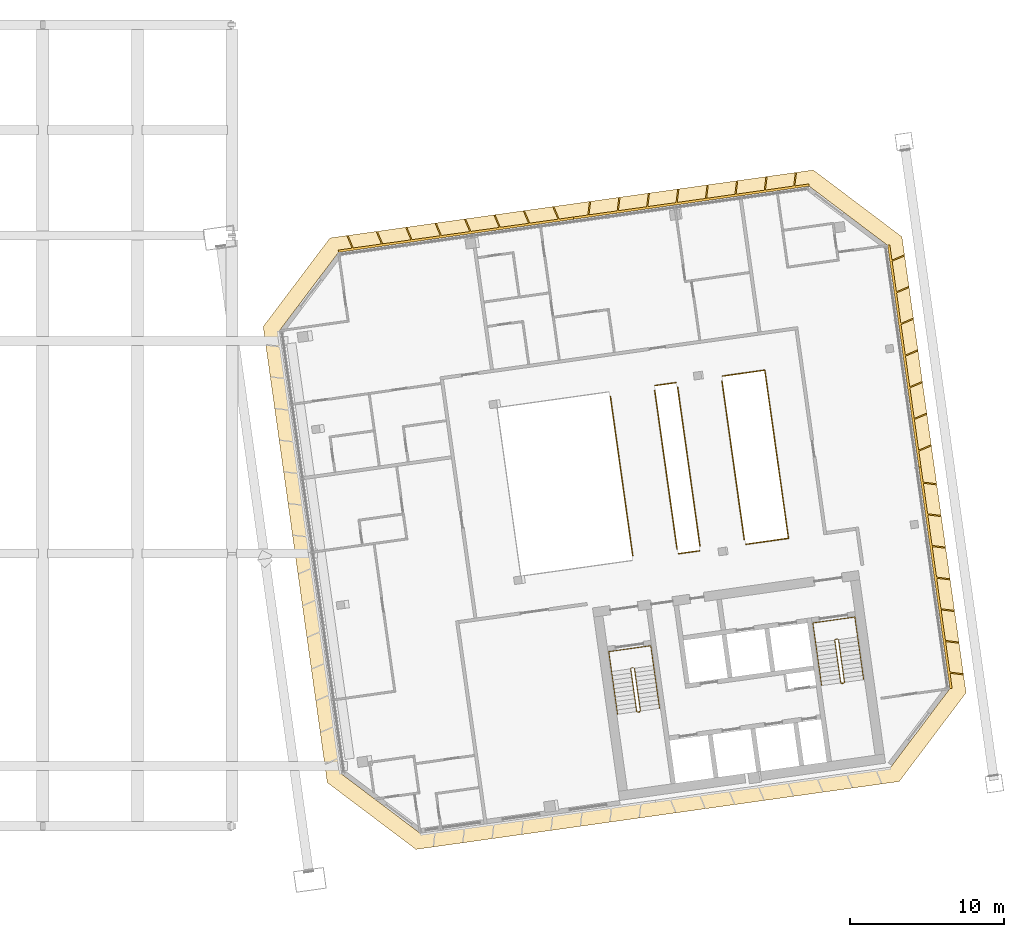
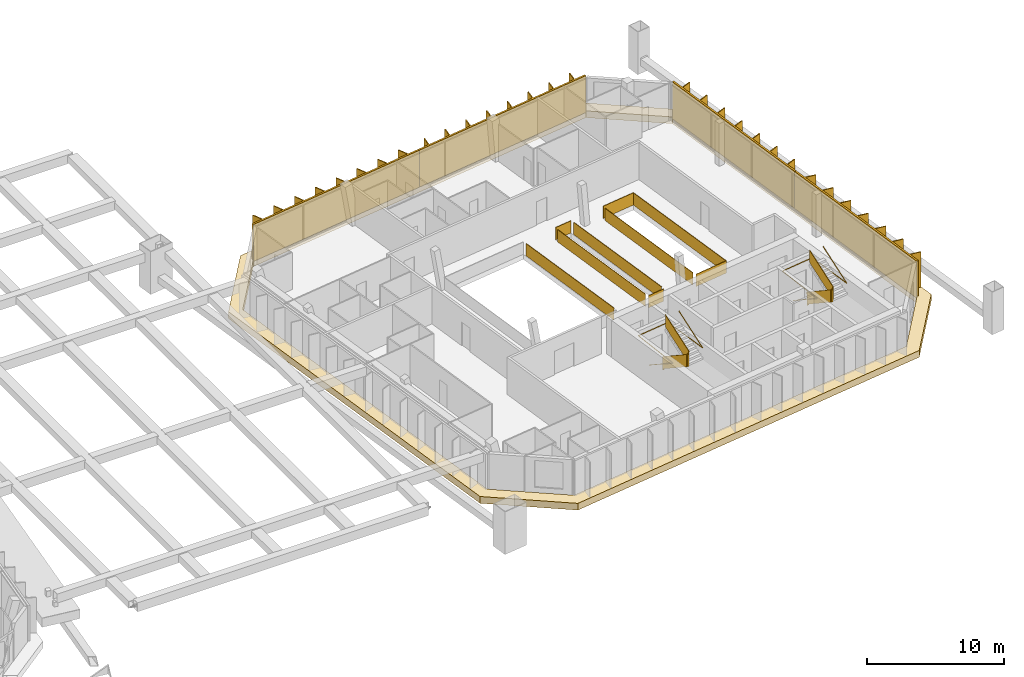
# One storey, part 36 of 36: 11 railings, 4 shading devices, 1 covering.
"""IFC4 building model written with IfcOpenShell, lengths in metres."""

import ifcopenshell
import ifcopenshell.guid

model = None  # the IFC model being written
_history = None  # IfcOwnerHistory: only IFC2X3 demands one
_inside = {}  # id of a spatial element -> (the spatial element, [elements in it])
_under = {}  # id of a project, library or spatial element -> (it, [spatial elements below it])
_declared = {}  # id of a project -> (the project, [libraries it declares])
_typed = {}  # id of a type object -> (the type object, [elements of that type])
_made_of = {}  # id of a material, layer set ... -> (it, [elements and type objects made of it])


def new_model(schema):
    """Start an empty IFC model of exactly this schema.

    Asked for "IFC4X3", IfcOpenShell would pick the latest addendum, in which some entities
    have other attributes; the version numbers below select the first issue.
    IFC2X3 requires an IfcOwnerHistory on every rooted entity: one is made here for all.
    """
    global model, _history
    if schema == "IFC4X3":
        model = ifcopenshell.file(schema_version=(4, 3, 0, 0))
    else:
        model = ifcopenshell.file(schema=schema)
    _inside.clear()
    _under.clear()
    _declared.clear()
    _typed.clear()
    _made_of.clear()
    _history = None
    if model.schema == "IFC2X3":
        org = make("IfcOrganization", Name="unknown")
        user = make(
            "IfcPersonAndOrganization",
            ThePerson=make("IfcPerson", FamilyName="unknown"),
            TheOrganization=org,
        )
        app = make(
            "IfcApplication",
            ApplicationDeveloper=org,
            Version="unknown",
            ApplicationFullName="unknown",
            ApplicationIdentifier="unknown",
        )
        _history = make(
            "IfcOwnerHistory",
            OwningUser=user,
            OwningApplication=app,
            ChangeAction="ADDED",
            CreationDate=0,
        )
    return model


def make(cls, **values):
    """One entity of the class cls with the attributes given. An attribute that is None is left unset."""
    return model.create_entity(
        cls, **{name: value for name, value in values.items() if value is not None}
    )


def rooted(cls, **values):
    """An entity with a GlobalId (a new one), such as an element, a storey or a relation."""
    return make(cls, GlobalId=ifcopenshell.guid.new(), OwnerHistory=_history, **values)


def si_unit(unit_type, name, prefix=None):
    """IfcSIUnit, for example si_unit("LENGTHUNIT", "METRE", prefix="MILLI")."""
    return make("IfcSIUnit", UnitType=unit_type, Prefix=prefix, Name=name)


def assignment(units):
    """IfcUnitAssignment: the units of a project."""
    return None if units is None else make("IfcUnitAssignment", Units=units)


def point(xyz):
    """IfcCartesianPoint."""
    return None if xyz is None else make("IfcCartesianPoint", Coordinates=xyz)


def direction(xyz):
    """IfcDirection."""
    return None if xyz is None else make("IfcDirection", DirectionRatios=xyz)


def frame(location, z_axis=None, x_axis=None):
    """IfcAxis2Placement3D, a coordinate frame: its origin and axes. An axis left out is left unset."""
    return make(
        "IfcAxis2Placement3D",
        Location=point(location),
        Axis=direction(z_axis),
        RefDirection=direction(x_axis),
    )


def frame_2d(location, x_axis=None):
    """IfcAxis2Placement2D, a coordinate frame in the plane: its origin and x axis."""
    return make(
        "IfcAxis2Placement2D", Location=point(location), RefDirection=direction(x_axis)
    )


def origin():
    """The frame at (0, 0, 0) with its axes left unset."""
    return frame((0.0, 0.0, 0.0))


def origin_2d():
    """The frame at (0, 0) in the plane with its x axis left unset."""
    return frame_2d((0.0, 0.0))


def place(relative_to, where):
    """IfcLocalPlacement: puts the frame where relative to a parent placement (None: the world)."""
    return make(
        "IfcLocalPlacement", PlacementRelTo=relative_to, RelativePlacement=where
    )


def context(
    kind, dimensions, precision=None, world=None, true_north=None, identifier=None
):
    """IfcGeometricRepresentationContext, for example the 3D "Model" context."""
    return make(
        "IfcGeometricRepresentationContext",
        ContextIdentifier=identifier,
        ContextType=kind,
        CoordinateSpaceDimension=dimensions,
        Precision=precision,
        WorldCoordinateSystem=world,
        TrueNorth=true_north,
    )


def subcontext(parent, identifier, kind, view, scale=None):
    """IfcGeometricRepresentationSubContext, for example "Body" below "Model"."""
    return make(
        "IfcGeometricRepresentationSubContext",
        ContextIdentifier=identifier,
        ContextType=kind,
        ParentContext=parent,
        TargetScale=scale,
        TargetView=view,
    )


def project(units=None, contexts=None):
    """IfcProject with its units and contexts."""
    return rooted(
        "IfcProject",
        Name="project",
        RepresentationContexts=contexts,
        UnitsInContext=assignment(units),
    )


def spatial(cls, under=None, at=None, **own):
    """A site, building, storey or space (cls), placed at a placement, below another one or the project."""
    s = rooted(cls, ObjectPlacement=at, **own)
    if under is not None:
        _under.setdefault(under.id(), (under, []))[1].append(s)
    return s


def polyline(points):
    """IfcPolyline through the points."""
    return make("IfcPolyline", Points=[point(p) for p in points])


def profile(cls, at=None, kind="AREA", **sizes):
    """A parametric profile (cls). Its sizes go by their IFC names, for example OverallWidth=200.0."""
    return make(cls, ProfileType=kind, Position=at, **sizes)


def rectangle(**sizes):
    """IfcRectangleProfileDef."""
    return profile("IfcRectangleProfileDef", **sizes)


def outline(outer, holes=None, kind="AREA"):
    """IfcArbitraryClosedProfileDef: a profile drawn as a closed curve; with holes, ...WithVoids."""
    if holes is None:
        return make("IfcArbitraryClosedProfileDef", ProfileType=kind, OuterCurve=outer)
    return make(
        "IfcArbitraryProfileDefWithVoids",
        ProfileType=kind,
        OuterCurve=outer,
        InnerCurves=holes,
    )


def extrude(swept, where, along, depth):
    """IfcExtrudedAreaSolid: the profile swept, set in the frame where, extruded along a direction by depth."""
    return make(
        "IfcExtrudedAreaSolid",
        SweptArea=swept,
        Position=where,
        ExtrudedDirection=direction(along),
        Depth=depth,
    )


def shape(context_of_items, identifier, shape_type, items):
    """IfcShapeRepresentation: the items that make up one representation, for example the "Body"."""
    return make(
        "IfcShapeRepresentation",
        ContextOfItems=context_of_items,
        RepresentationIdentifier=identifier,
        RepresentationType=shape_type,
        Items=items,
    )


def material(Name=None, Category=None):
    """IfcMaterial."""
    return make("IfcMaterial", Name=Name, Category=Category)


def layer(
    of_material, thickness, ventilated=None, Name=None, Category=None, Priority=None
):
    """IfcMaterialLayer: one layer of a wall or slab, of a material (None: an air gap)."""
    return make(
        "IfcMaterialLayer",
        Material=of_material,
        LayerThickness=thickness,
        IsVentilated=ventilated,
        Name=Name,
        Category=Category,
        Priority=Priority,
    )


def layer_set(layers, Name=None):
    """IfcMaterialLayerSet."""
    return make("IfcMaterialLayerSet", MaterialLayers=layers, LayerSetName=Name)


def made_of(thing, what):
    """Note that an element or type object is made of a material, layer set ...; save() writes the relation."""
    if what is not None:
        _made_of.setdefault(what.id(), (what, []))[1].append(thing)
    return thing


def type_object(cls, material=None, **own):
    """A type object (cls), such as IfcWallType, which elements share."""
    return made_of(rooted(cls, **own), material)


def element(
    cls,
    number,
    at=None,
    inside=None,
    cuts=None,
    type_object=None,
    material=None,
    context=None,
    identifier="Body",
    shape_type=None,
    held_by="IfcProductDefinitionShape",
    body=None,
    shapes=None,
    **own,
):
    """One element of the class cls, such as IfcWall. Its Tag is "e" and its number.

    at: its placement. inside: the storey or other place that contains it. cuts: it is an
    opening in that element (IfcRelVoidsElement). A single representation is given by context,
    identifier, shape_type and body (its items); several are given by shapes. held_by: the class
    of the entity that holds the representations. save() writes the other relations.
    """
    e = rooted(cls, Tag="e%d" % number, ObjectPlacement=at, **own)
    if body is not None:
        shapes = [shape(context, identifier, shape_type, body)]
    if shapes is not None:
        e.Representation = make(held_by, Representations=shapes)
    if inside is not None:
        _inside.setdefault(inside.id(), (inside, []))[1].append(e)
    if cuts is not None:
        rooted(
            "IfcRelVoidsElement", RelatingBuildingElement=cuts, RelatedOpeningElement=e
        )
    if type_object is not None:
        _typed.setdefault(type_object.id(), (type_object, []))[1].append(e)
    return made_of(e, material)


def aggregate(whole, parts):
    """IfcRelAggregates: a whole, such as a stair, and the parts it consists of."""
    return rooted("IfcRelAggregates", RelatingObject=whole, RelatedObjects=parts)


def save(model, path):
    """Write the relations noted so far, then the file.

    IfcRelAggregates (storeys below a building ...), IfcRelContainedInSpatialStructure (elements
    in a storey), IfcRelDefinesByType, IfcRelAssociatesMaterial and IfcRelDeclares: one each for
    every whole, place, type object, material and project.
    """
    for whole, parts in _under.values():
        aggregate(whole, parts)
    for where, things in _inside.values():
        rooted(
            "IfcRelContainedInSpatialStructure",
            RelatedElements=things,
            RelatingStructure=where,
        )
    for kind, things in _typed.values():
        rooted("IfcRelDefinesByType", RelatedObjects=things, RelatingType=kind)
    for what, things in _made_of.values():
        rooted("IfcRelAssociatesMaterial", RelatedObjects=things, RelatingMaterial=what)
    for by, libraries in _declared.values():
        rooted("IfcRelDeclares", RelatingContext=by, RelatedDefinitions=libraries)
    model.write(path)


model = new_model("IFC4")

# Units and contexts
model_context = context("Model", 3, precision=1e-05, world=origin(), true_north=direction((0.0, 1.0)))
body_context = subcontext(model_context, "Body", "Model", "MODEL_VIEW")
ifc_project = project(units=[si_unit("LENGTHUNIT", "METRE"), si_unit("AREAUNIT", "SQUARE_METRE"), si_unit("VOLUMEUNIT", "CUBIC_METRE"), si_unit("PLANEANGLEUNIT", "RADIAN"), si_unit("MASSUNIT", "GRAM", prefix="KILO")], contexts=[model_context])

# Site, building, storey
site_placement = place(None, origin())
site = spatial("IfcSite", under=ifc_project, at=site_placement, CompositionType="ELEMENT")
building_placement = place(site_placement, origin())
building = spatial("IfcBuilding", under=site, at=building_placement, Name="Mirante Cascada Hotel Towers", CompositionType="ELEMENT")
storey_placement = place(building_placement, frame((0.0, 0.0, 254.6)))
storey = spatial("IfcBuildingStorey", under=building, at=storey_placement, Name="L61", CompositionType="ELEMENT", Elevation=254.6)

# Railings
ifc_material_1 = material(Name="Toughened glass with stainless steel handrail", Category="steel")
railing_type_1 = type_object("IfcRailingType", Name="Atrium guard 1100 glass balustrade", PredefinedType="GUARDRAIL", material=ifc_material_1)
railing_1_placement = place(storey_placement, frame((41.1732, -3.8631, 0.0)))
element("IfcRailing", 1, at=railing_1_placement, inside=storey, type_object=railing_type_1, Name="GUARD 2-L61-2", PredefinedType="GUARDRAIL", context=body_context, shape_type="SweptSolid", body=[
    extrude(rectangle(XDim=0.048, YDim=0.048, at=origin_2d()), frame((0.0, 0.0, 1.076), z_axis=(0.9902687, 0.1391683, 0.0), x_axis=(-0.1391683, 0.9902687, 0.0)), (0.0, 0.0, 1.0), 1.3983),
    extrude(rectangle(XDim=0.02, YDim=1.052, at=origin_2d()), frame((0.0, 0.0, 0.526), z_axis=(0.9902687, 0.1391683, 0.0), x_axis=(-0.1391683, 0.9902687, 0.0)), (0.0, 0.0, 1.0), 1.3983),
])
railing_2_placement = place(storey_placement, frame((41.027, 7.2244, 0.0)))
element("IfcRailing", 2, at=railing_2_placement, inside=storey, type_object=railing_type_1, Name="GUARD 2-L61-3", PredefinedType="GUARDRAIL", context=body_context, shape_type="SweptSolid", body=[
    extrude(rectangle(XDim=0.048, YDim=0.048, at=origin_2d()), frame((0.0, 0.0, 1.076), z_axis=(-0.9902687, -0.1391683, 0.0), x_axis=(0.1391683, -0.9902687, 0.0)), (0.0, 0.0, 1.0), 1.3983),
    extrude(rectangle(XDim=0.02, YDim=1.052, at=origin_2d()), frame((0.0, 0.0, 0.526), z_axis=(-0.9902687, -0.1391683, 0.0), x_axis=(0.1391683, -0.9902687, 0.0)), (0.0, 0.0, 1.0), 1.3983),
])
railing_3_placement = place(storey_placement, frame((45.5287, -3.251, 0.0)))
element("IfcRailing", 3, at=railing_3_placement, inside=storey, type_object=railing_type_1, Name="GUARD 2-L61-4", PredefinedType="GUARDRAIL", context=body_context, shape_type="SweptSolid", body=[
    extrude(rectangle(XDim=0.048, YDim=0.048, at=origin_2d()), frame((0.0, 0.0, 1.076), z_axis=(0.9902681, 0.1391732, 0.0), x_axis=(-0.1391732, 0.9902681, 0.0)), (0.0, 0.0, 1.0), 2.7965),
    extrude(rectangle(XDim=0.02, YDim=1.052, at=origin_2d()), frame((0.0, 0.0, 0.526), z_axis=(0.9902681, 0.1391732, 0.0), x_axis=(-0.1391732, 0.9902681, 0.0)), (0.0, 0.0, 1.0), 2.7965),
    extrude(rectangle(XDim=0.048, YDim=0.048, at=origin_2d()), frame((2.7693, 0.3892, 1.076), z_axis=(-0.1391721, 0.9902682, 0.0), x_axis=(-0.9902682, -0.1391721, 0.0)), (0.0, 0.0, 1.0), 11.0001),
    extrude(rectangle(XDim=0.02, YDim=1.052, at=origin_2d()), frame((2.7693, 0.3892, 0.526), z_axis=(-0.1391721, 0.9902682, 0.0), x_axis=(-0.9902682, -0.1391721, 0.0)), (0.0, 0.0, 1.0), 11.0001),
    extrude(rectangle(XDim=0.048, YDim=0.048, at=origin_2d()), frame((1.2384, 11.2822, 1.076), z_axis=(-0.9902681, -0.1391732, 0.0), x_axis=(0.1391732, -0.9902681, 0.0)), (0.0, 0.0, 1.0), 2.7965),
    extrude(rectangle(XDim=0.02, YDim=1.052, at=origin_2d()), frame((1.2384, 11.2822, 0.526), z_axis=(-0.9902681, -0.1391732, 0.0), x_axis=(0.1391732, -0.9902681, 0.0)), (0.0, 0.0, 1.0), 2.7965),
])
railing_4_placement = place(storey_placement, frame((38.2098, -3.981, 0.0)))
element("IfcRailing", 4, at=railing_4_placement, inside=storey, type_object=railing_type_1, Name="GUARD 2-L61-5", PredefinedType="GUARDRAIL", context=body_context, shape_type="SweptSolid", body=[
    extrude(rectangle(XDim=0.048, YDim=0.048, at=origin_2d()), frame((0.0, 0.0, 1.076), z_axis=(-0.1391734, 0.990268, 0.0), x_axis=(-0.990268, -0.1391734, 0.0)), (0.0, 0.0, 1.0), 10.4086),
    extrude(rectangle(XDim=0.02, YDim=1.052, at=origin_2d()), frame((0.0, 0.0, 0.526), z_axis=(-0.1391734, 0.990268, 0.0), x_axis=(-0.990268, -0.1391734, 0.0)), (0.0, 0.0, 1.0), 10.4086),
])
railing_5_placement = place(storey_placement, frame((39.6349, 6.7302, 0.0)))
element("IfcRailing", 5, at=railing_5_placement, inside=storey, type_object=railing_type_1, Name="GUARD 2-L61-6", PredefinedType="GUARDRAIL", context=body_context, shape_type="SweptSolid", body=[
    extrude(rectangle(XDim=0.048, YDim=0.048, at=origin_2d()), frame((0.0, 0.0, 1.076), z_axis=(0.1391721, -0.9902682, 0.0), x_axis=(0.9902682, 0.1391721, 0.0)), (0.0, 0.0, 1.0), 10.4087),
    extrude(rectangle(XDim=0.02, YDim=1.052, at=origin_2d()), frame((0.0, 0.0, 0.526), z_axis=(0.1391721, -0.9902682, 0.0), x_axis=(0.9902682, 0.1391721, 0.0)), (0.0, 0.0, 1.0), 10.4087),
])
railing_6_placement = place(storey_placement, frame((42.5653, -3.3689, 0.0)))
element("IfcRailing", 6, at=railing_6_placement, inside=storey, type_object=railing_type_1, Name="GUARD 2-L61-7", PredefinedType="GUARDRAIL", context=body_context, shape_type="SweptSolid", body=[
    extrude(rectangle(XDim=0.048, YDim=0.048, at=origin_2d()), frame((0.0, 0.0, 1.076), z_axis=(-0.1391721, 0.9902682, 0.0), x_axis=(-0.9902682, -0.1391721, 0.0)), (0.0, 0.0, 1.0), 10.4087),
    extrude(rectangle(XDim=0.02, YDim=1.052, at=origin_2d()), frame((0.0, 0.0, 0.526), z_axis=(-0.1391721, 0.9902682, 0.0), x_axis=(-0.9902682, -0.1391721, 0.0)), (0.0, 0.0, 1.0), 10.4087),
])
railing_7_placement = place(storey_placement, frame((43.9904, 7.3424, 0.0)))
element("IfcRailing", 7, at=railing_7_placement, inside=storey, type_object=railing_type_1, Name="GUARD 2-L61-8", PredefinedType="GUARDRAIL", context=body_context, shape_type="SweptSolid", body=[
    extrude(rectangle(XDim=0.048, YDim=0.048, at=origin_2d()), frame((0.0, 0.0, 1.076), z_axis=(0.1391721, -0.9902682, 0.0), x_axis=(0.9902682, 0.1391721, 0.0)), (0.0, 0.0, 1.0), 10.4087),
    extrude(rectangle(XDim=0.02, YDim=1.052, at=origin_2d()), frame((0.0, 0.0, 0.526), z_axis=(0.1391721, -0.9902682, 0.0), x_axis=(0.9902682, 0.1391721, 0.0)), (0.0, 0.0, 1.0), 10.4087),
])

# Covering
ifc_material_2 = material(Name="Precast concrete C40/50 white", Category="concrete")
ifc_layer = layer(ifc_material_2, 0.6)
ifc_layer_set = layer_set([ifc_layer], Name="Precast concrete SUNSHADE band 1000x600")
covering_type = type_object("IfcCoveringType", Name="Precast concrete SUNSHADE band 1000x600", PredefinedType="CLADDING", material=ifc_layer_set)
covering_placement = place(storey_placement, frame((0.0, 0.0, -0.45)))
element("IfcCovering", 8, at=covering_placement, inside=storey, type_object=covering_type, Name="Precast concrete SUNSHADE band T2 L61", PredefinedType="CLADDING", context=body_context, shape_type="SweptSolid", body=[
    extrude(outline(polyline([(14.2707, 10.8502), (18.5992, 16.5943), (49.9078, 20.9944), (55.6518, 16.6659), (59.8032, -12.8722), (55.4747, -18.6163), (24.1661, -23.0165), (18.422, -18.688), (14.2707, 10.8502)]), holes=[polyline([(58.7552, -12.6012), (54.7192, 16.1166), (49.6367, 19.9465), (19.1485, 15.6616), (15.3186, 10.5792), (19.3546, -18.1386), (24.4371, -21.9685), (54.9253, -17.6837), (58.7552, -12.6012)])]), origin(), (0.0, 0.0, 1.0), 0.6),
])

# Railings
ifc_material_3 = material(Name="Painted steel", Category="steel")
railing_type_2 = type_object("IfcRailingType", Name="Stair guard 1100 steel balustrade", PredefinedType="GUARDRAIL", material=ifc_material_3)
railing_8_placement = place(storey_placement, frame((38.2663, -11.2395, 0.0)))
element("IfcRailing", 9, at=railing_8_placement, inside=storey, type_object=railing_type_2, Name="L61 ST2-A stair guard 1", PredefinedType="GUARDRAIL", context=body_context, shape_type="SweptSolid", body=[
    extrude(rectangle(XDim=0.048, YDim=0.048, at=origin_2d()), frame((0.0, 0.0, 1.076), z_axis=(-0.9903326, -0.1387133, 0.0), x_axis=(0.1387133, -0.9903326, 0.0)), (0.0, 0.0, 1.0), 0.1499),
    extrude(rectangle(XDim=0.02, YDim=1.052, at=origin_2d()), frame((0.0, 0.0, 0.526), z_axis=(-0.9903326, -0.1387133, 0.0), x_axis=(0.1387133, -0.9903326, 0.0)), (0.0, 0.0, 1.0), 0.1499),
    extrude(rectangle(XDim=0.048, YDim=0.048, at=origin_2d()), frame((-0.1485, -0.0208, 1.076), z_axis=(-0.6020331, -0.7984711, 0.0), x_axis=(0.7984711, -0.6020331, 0.0)), (0.0, 0.9253398, 0.3791387), 0.1866),
    extrude(rectangle(XDim=0.02, YDim=1.052, at=origin_2d()), frame((-0.1485, -0.0208, 0.526), z_axis=(-0.6020331, -0.7984711, 0.0), x_axis=(0.7984711, -0.6020331, 0.0)), (0.0, 0.9253398, 0.3791387), 0.1866),
    extrude(rectangle(XDim=0.048, YDim=0.048, at=origin_2d()), frame((-0.1911, -0.0773, 1.2487), z_axis=(0.139176, -0.9902677, 0.0), x_axis=(0.9902677, 0.139176, 0.0)), (0.0, 0.5250212, 0.8510891), 3.29),
    extrude(rectangle(XDim=0.02, YDim=1.052, at=origin_2d()), frame((-0.1911, -0.0773, 0.6987), z_axis=(0.139176, -0.9902677, 0.0), x_axis=(0.9902677, 0.139176, 0.0)), (0.0, 0.5250212, 0.8510891), 3.29),
    extrude(rectangle(XDim=0.048, YDim=0.048, at=origin_2d()), frame((0.1986, -2.8501, 2.976), z_axis=(0.9944948, -0.1047858, 0.0), x_axis=(0.1047858, 0.9944948, 0.0)), (0.0, 0.0, 1.0), 0.2061),
    extrude(rectangle(XDim=0.02, YDim=1.052, at=origin_2d()), frame((0.1986, -2.8501, 2.426), z_axis=(0.9944948, -0.1047858, 0.0), x_axis=(0.1047858, 0.9944948, 0.0)), (0.0, 0.0, 1.0), 0.2061),
    extrude(rectangle(XDim=0.048, YDim=0.048, at=origin_2d()), frame((0.4036, -2.8717, 2.976), z_axis=(-0.9902408, -0.1393672, 0.0), x_axis=(0.1393672, -0.9902408, 0.0)), (0.0, 0.0, 1.0), 0.15),
    extrude(rectangle(XDim=0.02, YDim=1.052, at=origin_2d()), frame((0.4036, -2.8717, 2.426), z_axis=(-0.9902408, -0.1393672, 0.0), x_axis=(0.1393672, -0.9902408, 0.0)), (0.0, 0.0, 1.0), 0.15),
    extrude(rectangle(XDim=0.048, YDim=0.048, at=origin_2d()), frame((0.2551, -2.8926, 2.976), z_axis=(0.9270311, 0.3749843, 0.0), x_axis=(-0.3749843, 0.9270311, 0.0)), (0.0, 0.6421903, 0.7665452), 0.2689),
    extrude(rectangle(XDim=0.02, YDim=1.052, at=origin_2d()), frame((0.2551, -2.8926, 2.426), z_axis=(0.9270311, 0.3749843, 0.0), x_axis=(-0.3749843, 0.9270311, 0.0)), (0.0, 0.6421903, 0.7665452), 0.2689),
    extrude(rectangle(XDim=0.048, YDim=0.048, at=origin_2d()), frame((0.4462, -2.8153, 3.1487), z_axis=(-0.139176, 0.9902677, 0.0), x_axis=(-0.9902677, -0.139176, 0.0)), (0.0, 0.5250212, 0.8510891), 3.29),
    extrude(rectangle(XDim=0.02, YDim=1.052, at=origin_2d()), frame((0.4462, -2.8153, 2.5987), z_axis=(-0.139176, 0.9902677, 0.0), x_axis=(-0.9902677, -0.139176, 0.0)), (0.0, 0.5250212, 0.8510891), 3.29),
])
railing_9_placement = place(storey_placement, frame((51.4864, -9.3815, 0.0)))
element("IfcRailing", 10, at=railing_9_placement, inside=storey, type_object=railing_type_2, Name="L61 ST2-B stair guard 1", PredefinedType="GUARDRAIL", context=body_context, shape_type="SweptSolid", body=[
    extrude(rectangle(XDim=0.048, YDim=0.048, at=origin_2d()), frame((0.0, 0.0, 1.076), z_axis=(-0.9902408, -0.1393672, 0.0), x_axis=(0.1393672, -0.9902408, 0.0)), (0.0, 0.0, 1.0), 0.15),
    extrude(rectangle(XDim=0.02, YDim=1.052, at=origin_2d()), frame((0.0, 0.0, 0.526), z_axis=(-0.9902408, -0.1393672, 0.0), x_axis=(0.1393672, -0.9902408, 0.0)), (0.0, 0.0, 1.0), 0.15),
    extrude(rectangle(XDim=0.048, YDim=0.048, at=origin_2d()), frame((-0.1485, -0.0209, 1.076), z_axis=(-0.6020331, -0.7984711, 0.0), x_axis=(0.7984711, -0.6020331, 0.0)), (0.0, 0.9253398, 0.3791387), 0.1866),
    extrude(rectangle(XDim=0.02, YDim=1.052, at=origin_2d()), frame((-0.1485, -0.0209, 0.526), z_axis=(-0.6020331, -0.7984711, 0.0), x_axis=(0.7984711, -0.6020331, 0.0)), (0.0, 0.9253398, 0.3791387), 0.1866),
    extrude(rectangle(XDim=0.048, YDim=0.048, at=origin_2d()), frame((-0.1911, -0.0774, 1.2487), z_axis=(0.139181, -0.990267, 0.0), x_axis=(0.990267, 0.139181, 0.0)), (0.0, 0.5250347, 0.8510808), 3.2899),
    extrude(rectangle(XDim=0.02, YDim=1.052, at=origin_2d()), frame((-0.1911, -0.0774, 0.6987), z_axis=(0.139181, -0.990267, 0.0), x_axis=(0.990267, 0.139181, 0.0)), (0.0, 0.5250347, 0.8510808), 3.2899),
    extrude(rectangle(XDim=0.048, YDim=0.048, at=origin_2d()), frame((0.1986, -2.8501, 2.976), z_axis=(0.9944441, -0.1052656, 0.0), x_axis=(0.1052656, 0.9944441, 0.0)), (0.0, 0.0, 1.0), 0.2061),
    extrude(rectangle(XDim=0.02, YDim=1.052, at=origin_2d()), frame((0.1986, -2.8501, 2.426), z_axis=(0.9944441, -0.1052656, 0.0), x_axis=(0.1052656, 0.9944441, 0.0)), (0.0, 0.0, 1.0), 0.2061),
    extrude(rectangle(XDim=0.048, YDim=0.048, at=origin_2d()), frame((0.4036, -2.8718, 2.976), z_axis=(-0.9902408, -0.1393672, 0.0), x_axis=(0.1393672, -0.9902408, 0.0)), (0.0, 0.0, 1.0), 0.15),
    extrude(rectangle(XDim=0.02, YDim=1.052, at=origin_2d()), frame((0.4036, -2.8718, 2.426), z_axis=(-0.9902408, -0.1393672, 0.0), x_axis=(0.1393672, -0.9902408, 0.0)), (0.0, 0.0, 1.0), 0.15),
    extrude(rectangle(XDim=0.048, YDim=0.048, at=origin_2d()), frame((0.2551, -2.8927, 2.976), z_axis=(0.9268624, 0.3754011, 0.0), x_axis=(-0.3754011, 0.9268624, 0.0)), (0.0, 0.6421217, 0.7666028), 0.269),
    extrude(rectangle(XDim=0.02, YDim=1.052, at=origin_2d()), frame((0.2551, -2.8927, 2.426), z_axis=(0.9268624, 0.3754011, 0.0), x_axis=(-0.3754011, 0.9268624, 0.0)), (0.0, 0.6421217, 0.7666028), 0.269),
    extrude(rectangle(XDim=0.048, YDim=0.048, at=origin_2d()), frame((0.4462, -2.8153, 3.1487), z_axis=(-0.139181, 0.990267, 0.0), x_axis=(-0.990267, -0.139181, 0.0)), (0.0, 0.5250347, 0.8510808), 3.2899),
    extrude(rectangle(XDim=0.02, YDim=1.052, at=origin_2d()), frame((0.4462, -2.8153, 2.5987), z_axis=(-0.139181, 0.990267, 0.0), x_axis=(-0.990267, -0.139181, 0.0)), (0.0, 0.5250347, 0.8510808), 3.2899),
])
ifc_material_4 = material(Name="Painted steel", Category="steel")
railing_type_3 = type_object("IfcRailingType", Name="Stair handrail 900 steel tube", PredefinedType="HANDRAIL", material=ifc_material_4)
railing_10_placement = place(storey_placement, frame((36.8374, -11.4908, 0.1727)))
element("IfcRailing", 11, at=railing_10_placement, inside=storey, type_object=railing_type_3, Name="L61 ST2-A stair handrail 1", PredefinedType="HANDRAIL", context=body_context, shape_type="SweptSolid", body=[
    extrude(rectangle(XDim=0.048, YDim=0.048, at=origin_2d()), frame((0.0, 0.0, 0.876), z_axis=(0.139181, -0.990267, 0.0), x_axis=(0.990267, 0.139181, 0.0)), (0.0, 0.5250347, 0.8510808), 3.2899),
    extrude(rectangle(XDim=0.048, YDim=0.048, at=origin_2d()), frame((0.3897, -2.7727, 2.6033), z_axis=(-0.1391707, 0.9902684, 0.0), x_axis=(-0.9902684, -0.1391707, 0.0)), (0.0, 0.0420846, 0.999114), 4.1036),
    extrude(rectangle(XDim=0.048, YDim=0.048, at=origin_2d()), frame((-0.1809, 1.2874, 2.776), z_axis=(0.9902691, 0.1391657, 0.0), x_axis=(-0.1391657, 0.9902691, 0.0)), (0.0, 0.0, 1.0), 2.75),
    extrude(rectangle(XDim=0.048, YDim=0.048, at=origin_2d()), frame((2.5423, 1.6701, 2.776), z_axis=(0.1391707, -0.9902684, 0.0), x_axis=(0.9902684, 0.1391707, 0.0)), (0.0, 0.0, 1.0), 4.1),
    extrude(rectangle(XDim=0.048, YDim=0.048, at=origin_2d()), frame((3.1129, -2.39, 2.776), z_axis=(-0.139181, 0.990267, 0.0), x_axis=(-0.990267, -0.139181, 0.0)), (0.0, 0.5250347, 0.8510808), 3.2899),
])
railing_11_placement = place(storey_placement, frame((50.0575, -9.6328, 0.1727)))
element("IfcRailing", 12, at=railing_11_placement, inside=storey, type_object=railing_type_3, Name="L61 ST2-B stair handrail 1", PredefinedType="HANDRAIL", context=body_context, shape_type="SweptSolid", body=[
    extrude(rectangle(XDim=0.048, YDim=0.048, at=origin_2d()), frame((0.0, 0.0, 0.876), z_axis=(0.139176, -0.9902677, 0.0), x_axis=(0.9902677, 0.139176, 0.0)), (0.0, 0.5250212, 0.8510891), 3.29),
    extrude(rectangle(XDim=0.048, YDim=0.048, at=origin_2d()), frame((0.3897, -2.7728, 2.6033), z_axis=(-0.1391707, 0.9902684, 0.0), x_axis=(-0.9902684, -0.1391707, 0.0)), (0.0, 0.0420846, 0.999114), 4.1036),
    extrude(rectangle(XDim=0.048, YDim=0.048, at=origin_2d()), frame((-0.1809, 1.2873, 2.776), z_axis=(0.9902641, 0.1392013, 0.0), x_axis=(-0.1392013, 0.9902641, 0.0)), (0.0, 0.0, 1.0), 2.75),
    extrude(rectangle(XDim=0.048, YDim=0.048, at=origin_2d()), frame((2.5423, 1.6701, 2.776), z_axis=(0.1391707, -0.9902684, 0.0), x_axis=(0.9902684, 0.1391707, 0.0)), (0.0, 0.0, 1.0), 4.1),
    extrude(rectangle(XDim=0.048, YDim=0.048, at=origin_2d()), frame((3.1129, -2.39, 2.776), z_axis=(-0.139181, 0.990267, 0.0), x_axis=(-0.990267, -0.139181, 0.0)), (0.0, 0.5250347, 0.8510808), 3.2899),
])

# Shading devices
ifc_material_5 = material(Name="White precast concrete C50/60 fin", Category="concrete")
shading_device_type = type_object("IfcShadingDeviceType", Name="Vertical fin set 4500x900", PredefinedType="USERDEFINED", material=ifc_material_5)
shading_device_1_placement = place(storey_placement, origin())
element("IfcShadingDevice", 13, at=shading_device_1_placement, inside=storey, type_object=shading_device_type, Name="FIN T2 L61 front 1", ObjectType="FIN", PredefinedType="USERDEFINED", context=body_context, shape_type="SweptSolid", body=[
    extrude(outline(polyline([(35.4809, 18.9254), (35.3788, 18.0941), (37.2023, 18.3504), (37.307, 19.203), (37.3864, 19.1932), (37.2843, 18.3619), (39.1078, 18.6182), (39.2125, 19.4708), (39.2919, 19.461), (39.1898, 18.6297), (41.0133, 18.886), (41.118, 19.7386), (41.1974, 19.7288), (41.0953, 18.8975), (42.9188, 19.1538), (43.0235, 20.0064), (43.1029, 19.9966), (43.0008, 19.1653), (44.8243, 19.4216), (44.929, 20.2742), (45.0084, 20.2644), (44.9064, 19.4331), (46.7299, 19.6894), (46.8345, 20.542), (46.9139, 20.5322), (46.8119, 19.701), (48.6354, 19.9572), (48.74, 20.8098), (48.8195, 20.8), (48.7174, 19.9688), (49.6159, 20.095), (49.6367, 19.9465), (34.3926, 17.8041), (34.3718, 17.9526), (35.2968, 18.0826), (35.4014, 18.9352), (35.4809, 18.9254)])), origin(), (0.0, 0.0, 1.0), 3.3),
])
shading_device_2_placement = place(storey_placement, origin())
element("IfcShadingDevice", 14, at=shading_device_2_placement, inside=storey, type_object=shading_device_type, Name="FIN T2 L61 front 2", ObjectType="FIN", PredefinedType="USERDEFINED", context=body_context, shape_type="SweptSolid", body=[
    extrude(outline(polyline([(19.7725, 16.7387), (20.1081, 15.948), (21.9316, 16.2043), (21.6044, 16.9752), (21.678, 17.0065), (22.0137, 16.2158), (23.8371, 16.4721), (23.5099, 17.243), (23.5835, 17.2743), (23.9192, 16.4836), (25.7427, 16.7399), (25.4154, 17.5108), (25.4891, 17.5421), (25.8247, 16.7514), (27.6482, 17.0077), (27.3209, 17.7786), (27.3946, 17.8099), (27.7302, 17.0192), (29.5537, 17.2755), (29.2264, 18.0464), (29.3001, 18.0777), (29.6357, 17.287), (31.4592, 17.5433), (31.132, 18.3142), (31.2056, 18.3455), (31.5412, 17.5548), (33.3647, 17.8111), (33.0375, 18.582), (33.1111, 18.6133), (33.4467, 17.8226), (34.3718, 17.9526), (34.3926, 17.8041), (19.1485, 15.6616), (19.1276, 15.8102), (20.0261, 15.9365), (19.6989, 16.7074), (19.7725, 16.7387)])), origin(), (0.0, 0.0, 1.0), 3.3),
])
shading_device_3_placement = place(storey_placement, origin())
element("IfcShadingDevice", 15, at=shading_device_3_placement, inside=storey, type_object=shading_device_type, Name="FIN T2 L61 outer 1", ObjectType="FIN", PredefinedType="USERDEFINED", context=body_context, shape_type="SweptSolid", body=[
    extrude(outline(polyline([(59.5985, -11.711), (58.7673, -11.609), (58.9038, -12.5803), (58.7552, -12.6012), (56.7372, 1.7577), (56.8858, 1.7785), (57.026, 0.7807), (57.8786, 0.676), (57.8688, 0.5966), (57.0375, 0.6986), (57.3143, -1.2706), (58.1669, -1.3753), (58.1571, -1.4547), (57.3258, -1.3526), (57.6026, -3.3219), (58.4551, -3.4266), (58.4454, -3.506), (57.6141, -3.4039), (57.8909, -5.3732), (58.7434, -5.4778), (58.7337, -5.5572), (57.9024, -5.4552), (58.1792, -7.4244), (59.0317, -7.5291), (59.022, -7.6085), (58.1907, -7.5064), (58.4675, -9.4757), (59.32, -9.5804), (59.3103, -9.6598), (58.479, -9.5577), (58.7557, -11.527), (59.6083, -11.6316), (59.5985, -11.711)])), origin(), (0.0, 0.0, 1.0), 3.3),
])
shading_device_4_placement = place(storey_placement, origin())
element("IfcShadingDevice", 16, at=shading_device_4_placement, inside=storey, type_object=shading_device_type, Name="FIN T2 L61 outer 2", ObjectType="FIN", PredefinedType="USERDEFINED", context=body_context, shape_type="SweptSolid", body=[
    extrude(outline(polyline([(57.5362, 3.1121), (56.7455, 2.7764), (56.8858, 1.7785), (56.7372, 1.7577), (54.7192, 16.1166), (54.8678, 16.1374), (55.0043, 15.1661), (55.7752, 15.4933), (55.8065, 15.4197), (55.0158, 15.0841), (55.2926, 13.1148), (56.0635, 13.4421), (56.0948, 13.3684), (55.3041, 13.0328), (55.5809, 11.0635), (56.3518, 11.3908), (56.3831, 11.3171), (55.5924, 10.9815), (55.8691, 9.0123), (56.6401, 9.3395), (56.6713, 9.2659), (55.8807, 8.9303), (56.1574, 6.961), (56.9284, 7.2882), (56.9596, 7.2146), (56.169, 6.879), (56.4457, 4.9097), (57.2167, 5.237), (57.2479, 5.1633), (56.4572, 4.8277), (56.734, 2.8585), (57.5049, 3.1857), (57.5362, 3.1121)])), origin(), (0.0, 0.0, 1.0), 3.3),
])

save(model, "model.ifc")
